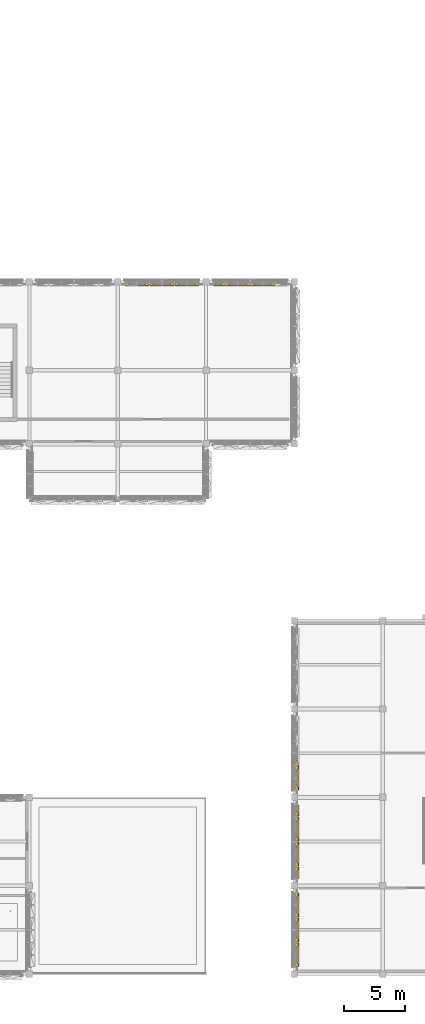
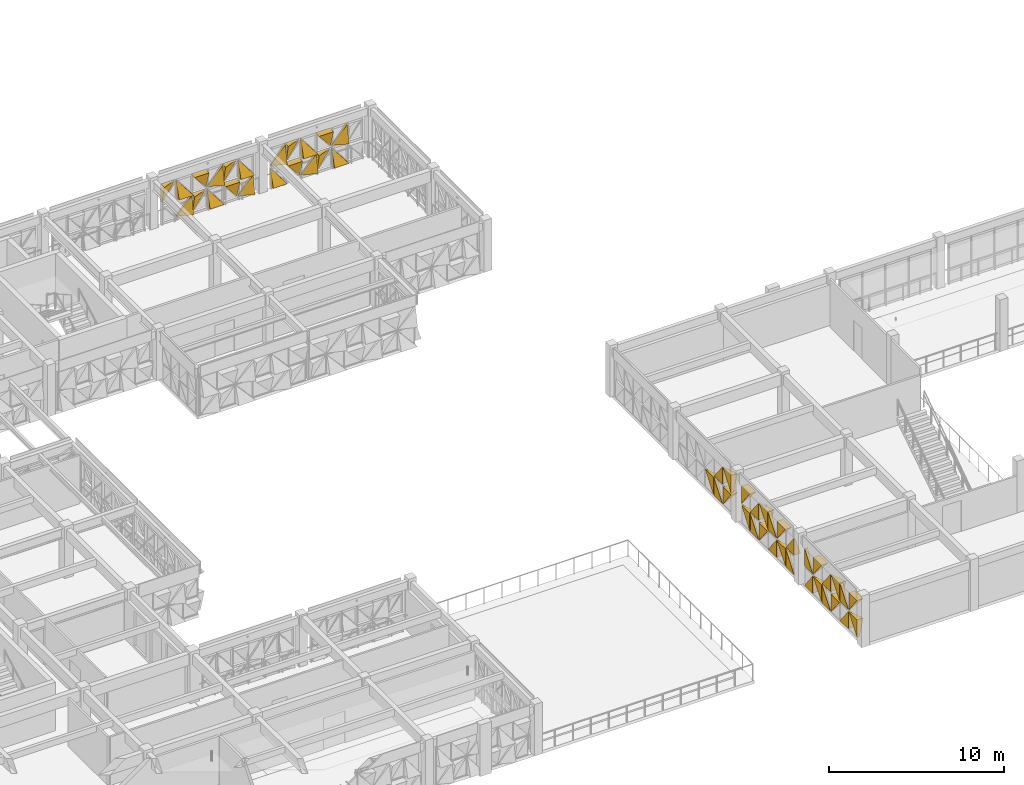
# One storey, part 94 of 99: 50 coverings.
"""IFC4 building model written with IfcOpenShell, lengths in metres."""

from ifc_helpers import new_model, si_unit, direction, frame, origin, place, context, subcontext, project, spatial, polygons, material, layer, layer_set, type_object, element, save


model = new_model("IFC4")

# Units and contexts
model_context = context("Model", 3, precision=1e-05, world=origin(), true_north=direction((0.0, 1.0)))
body_context = subcontext(model_context, "Body", "Model", "MODEL_VIEW")
ifc_project = project(units=[si_unit("LENGTHUNIT", "METRE"), si_unit("AREAUNIT", "SQUARE_METRE"), si_unit("VOLUMEUNIT", "CUBIC_METRE"), si_unit("PLANEANGLEUNIT", "RADIAN"), si_unit("MASSUNIT", "GRAM", prefix="KILO")], contexts=[model_context])

# Site, building, storey
site_placement = place(None, origin())
site = spatial("IfcSite", under=ifc_project, at=site_placement, CompositionType="ELEMENT")
building_placement = place(site_placement, origin())
building = spatial("IfcBuilding", under=site, at=building_placement, Name="Alvorim Cloister Faculty of Sciences", CompositionType="ELEMENT")
storey_placement = place(building_placement, frame((0.0, 0.0, 12.14990234375)))
storey = spatial("IfcBuildingStorey", under=building, at=storey_placement, Name="L03", CompositionType="ELEMENT", Elevation=12.14990234375)

# Coverings
ifc_material = material(Name="Perforated Bronze Alloy Sheet", Category="metal")
ifc_layer = layer(ifc_material, 0.0380859375)
ifc_layer_set = layer_set([ifc_layer], Name="Perforated Bronze Alloy Sheet")
covering_type = type_object("IfcCoveringType", Name="COV-TRI-BRZ", PredefinedType="CLADDING", material=ifc_layer_set)
covering_1_placement = place(storey_placement, frame((51.0048828125, 56.445068359375, 1.4951171875), z_axis=(0.0, 0.0, 1.0), x_axis=(1.0, 0.0, 0.0)))
element("IfcCovering", 1, at=covering_1_placement, inside=storey, type_object=covering_type, Name="Diagonal Solid Metal Triangle TRI-TL", PredefinedType="CLADDING", context=body_context, shape_type="Tessellation", body=[
    polygons([(0.920607421875, 0.0260009765625, 1.215087890625), (0.0, 0.0260009765625, 1.215087890625), (0.0, 0.0260009765625, 0.002), (0.920607421875, -0.03, 1.215087890625), (0.0, -0.4, 1.215087890625), (0.0, -0.13999999999999999, 0.002)], [[[1, 3, 2]], [[4, 5, 6]], [[1, 2, 5, 4]], [[2, 3, 6, 5]], [[3, 1, 4, 6]]], closed=True),
])
covering_2_placement = place(storey_placement, frame((51.992431640625, 56.445068359375, 0.14013671875), z_axis=(0.0, 0.0, 1.0), x_axis=(1.0, 0.0, 0.0)))
element("IfcCovering", 2, at=covering_2_placement, inside=storey, type_object=covering_type, Name="Diagonal Solid Metal Triangle TRI-BR", PredefinedType="CLADDING", context=body_context, shape_type="Tessellation", body=[
    polygons([(0.002, 0.0260009765625, 0.0), (0.955078125, 0.0260009765625, 0.0), (0.955078125, 0.0260009765625, 1.21284375), (0.002, -0.03, 0.0), (0.955078125, -0.4, 0.0), (0.955078125, -0.18000000000000002, 1.21284375)], [[[1, 3, 2]], [[4, 5, 6]], [[1, 2, 5, 4]], [[2, 3, 6, 5]], [[3, 1, 4, 6]]], closed=True),
])
covering_3_placement = place(storey_placement, frame((51.992431640625, 56.445068359375, 1.4951171875), z_axis=(0.0, 0.0, 1.0), x_axis=(1.0, 0.0, 0.0)))
element("IfcCovering", 3, at=covering_3_placement, inside=storey, type_object=covering_type, Name="Diagonal Solid Metal Triangle TRI-BL", PredefinedType="CLADDING", context=body_context, shape_type="Tessellation", body=[
    polygons([(0.0, 0.0260009765625, 0.0), (0.953078125, 0.0260009765625, 0.0), (0.0, 0.0260009765625, 1.213087890625), (0.0, -0.4, 0.0), (0.953078125, -0.4, 0.0), (0.0, -0.03, 1.213087890625)], [[[1, 3, 2]], [[4, 5, 6]], [[1, 2, 5, 4]], [[2, 3, 6, 5]], [[3, 1, 4, 6]]], closed=True),
])
covering_4_placement = place(storey_placement, frame((53.012451171875, 56.445068359375, 0.14013671875), z_axis=(0.0, 0.0, 1.0), x_axis=(1.0, 0.0, 0.0)))
element("IfcCovering", 4, at=covering_4_placement, inside=storey, type_object=covering_type, Name="Diagonal Solid Metal Triangle TRI-TL", PredefinedType="CLADDING", context=body_context, shape_type="Tessellation", body=[
    polygons([(0.953078125, 0.0260009765625, 1.21484375), (0.0, 0.0260009765625, 1.21484375), (0.0, 0.0260009765625, 0.002), (0.953078125, -0.03, 1.21484375), (0.0, -0.4, 1.21484375), (0.0, -0.13999999999999999, 0.002)], [[[1, 3, 2]], [[4, 5, 6]], [[1, 2, 5, 4]], [[2, 3, 6, 5]], [[3, 1, 4, 6]]], closed=True),
])
covering_5_placement = place(storey_placement, frame((53.012451171875, 56.445068359375, 1.4951171875), z_axis=(0.0, 0.0, 1.0), x_axis=(1.0, 0.0, 0.0)))
element("IfcCovering", 5, at=covering_5_placement, inside=storey, type_object=covering_type, Name="Diagonal Solid Metal Triangle TRI-TR", PredefinedType="CLADDING", context=body_context, shape_type="Tessellation", body=[
    polygons([(0.955078125, 0.0260009765625, 0.002), (0.955078125, 0.0260009765625, 1.215087890625), (0.002, 0.0260009765625, 1.215087890625), (0.955078125, -0.03, 0.002), (0.955078125, -0.4, 1.215087890625), (0.002, -0.4, 1.215087890625)], [[[1, 3, 2]], [[4, 5, 6]], [[1, 2, 5, 4]], [[2, 3, 6, 5]], [[3, 1, 4, 6]]], closed=True),
])
covering_6_placement = place(storey_placement, frame((54.032470703125, 56.445068359375, 0.14013671875), z_axis=(0.0, 0.0, 1.0), x_axis=(1.0, 0.0, 0.0)))
element("IfcCovering", 6, at=covering_6_placement, inside=storey, type_object=covering_type, Name="Diagonal Solid Metal Triangle TRI-BL", PredefinedType="CLADDING", context=body_context, shape_type="Tessellation", body=[
    polygons([(0.0, 0.0260009765625, 0.0), (0.953078125, 0.0260009765625, 0.0), (0.0, 0.0260009765625, 1.21284375), (0.0, -0.4, 0.0), (0.953078125, -0.4, 0.0), (0.0, -0.03, 1.21284375)], [[[1, 3, 2]], [[4, 5, 6]], [[1, 2, 5, 4]], [[2, 3, 6, 5]], [[3, 1, 4, 6]]], closed=True),
])
covering_7_placement = place(storey_placement, frame((54.032470703125, 56.445068359375, 1.4951171875), z_axis=(0.0, 0.0, 1.0), x_axis=(1.0, 0.0, 0.0)))
element("IfcCovering", 7, at=covering_7_placement, inside=storey, type_object=covering_type, Name="Diagonal Solid Metal Triangle TRI-BR", PredefinedType="CLADDING", context=body_context, shape_type="Tessellation", body=[
    polygons([(0.002, 0.0260009765625, 0.0), (0.955078125, 0.0260009765625, 0.0), (0.955078125, 0.0260009765625, 1.213087890625), (0.002, -0.03, 0.0), (0.955078125, -0.4, 0.0), (0.955078125, -0.18000000000000002, 1.213087890625)], [[[1, 3, 2]], [[4, 5, 6]], [[1, 2, 5, 4]], [[2, 3, 6, 5]], [[3, 1, 4, 6]]], closed=True),
])
covering_8_placement = place(storey_placement, frame((55.052490234375, 56.445068359375, 0.14013671875), z_axis=(0.0, 0.0, 1.0), x_axis=(1.0, 0.0, 0.0)))
element("IfcCovering", 8, at=covering_8_placement, inside=storey, type_object=covering_type, Name="Diagonal Solid Metal Triangle TRI-TR", PredefinedType="CLADDING", context=body_context, shape_type="Tessellation", body=[
    polygons([(0.955078125, 0.0260009765625, 0.002), (0.955078125, 0.0260009765625, 1.21484375), (0.002, 0.0260009765625, 1.21484375), (0.955078125, -0.03, 0.002), (0.955078125, -0.4, 1.21484375), (0.002, -0.4, 1.21484375)], [[[1, 3, 2]], [[4, 5, 6]], [[1, 2, 5, 4]], [[2, 3, 6, 5]], [[3, 1, 4, 6]]], closed=True),
])
covering_9_placement = place(storey_placement, frame((55.052490234375, 56.445068359375, 1.4951171875), z_axis=(0.0, 0.0, 1.0), x_axis=(1.0, 0.0, 0.0)))
element("IfcCovering", 9, at=covering_9_placement, inside=storey, type_object=covering_type, Name="Diagonal Solid Metal Triangle TRI-TL", PredefinedType="CLADDING", context=body_context, shape_type="Tessellation", body=[
    polygons([(0.953078125, 0.0260009765625, 1.215087890625), (0.0, 0.0260009765625, 1.215087890625), (0.0, 0.0260009765625, 0.002), (0.953078125, -0.03, 1.215087890625), (0.0, -0.4, 1.215087890625), (0.0, -0.13999999999999999, 0.002)], [[[1, 3, 2]], [[4, 5, 6]], [[1, 2, 5, 4]], [[2, 3, 6, 5]], [[3, 1, 4, 6]]], closed=True),
])
covering_10_placement = place(storey_placement, frame((56.072509765625, 56.445068359375, 0.14013671875), z_axis=(0.0, 0.0, 1.0), x_axis=(1.0, 0.0, 0.0)))
element("IfcCovering", 10, at=covering_10_placement, inside=storey, type_object=covering_type, Name="Diagonal Solid Metal Triangle TRI-BR", PredefinedType="CLADDING", context=body_context, shape_type="Tessellation", body=[
    polygons([(0.002, 0.0260009765625, 0.0), (0.922607421875, 0.0260009765625, 0.0), (0.922607421875, 0.0260009765625, 1.21284375), (0.002, -0.03, 0.0), (0.922607421875, -0.4, 0.0), (0.922607421875, -0.18000000000000002, 1.21284375)], [[[1, 3, 2]], [[4, 5, 6]], [[1, 2, 5, 4]], [[2, 3, 6, 5]], [[3, 1, 4, 6]]], closed=True),
])
covering_11_placement = place(storey_placement, frame((56.072509765625, 56.445068359375, 1.4951171875), z_axis=(0.0, 0.0, 1.0), x_axis=(1.0, 0.0, 0.0)))
element("IfcCovering", 11, at=covering_11_placement, inside=storey, type_object=covering_type, Name="Diagonal Solid Metal Triangle TRI-BL", PredefinedType="CLADDING", context=body_context, shape_type="Tessellation", body=[
    polygons([(0.0, 0.0260009765625, 0.0), (0.920607421875, 0.0260009765625, 0.0), (0.0, 0.0260009765625, 1.213087890625), (0.0, -0.4, 0.0), (0.920607421875, -0.4, 0.0), (0.0, -0.03, 1.213087890625)], [[[1, 3, 2]], [[4, 5, 6]], [[1, 2, 5, 4]], [[2, 3, 6, 5]], [[3, 1, 4, 6]]], closed=True),
])
covering_12_placement = place(storey_placement, frame((58.205078125, 56.445068359375, 0.14013671875), z_axis=(0.0, 0.0, 1.0), x_axis=(1.0, 0.0, 0.0)))
element("IfcCovering", 12, at=covering_12_placement, inside=storey, type_object=covering_type, Name="Diagonal Solid Metal Triangle TRI-BL", PredefinedType="CLADDING", context=body_context, shape_type="Tessellation", body=[
    polygons([(0.0, 0.0260009765625, 0.0), (0.920607421875, 0.0260009765625, 0.0), (0.0, 0.0260009765625, 1.21284375), (0.0, -0.4, 0.0), (0.920607421875, -0.4, 0.0), (0.0, -0.03, 1.21284375)], [[[1, 3, 2]], [[4, 5, 6]], [[1, 2, 5, 4]], [[2, 3, 6, 5]], [[3, 1, 4, 6]]], closed=True),
])
covering_13_placement = place(storey_placement, frame((58.205078125, 56.445068359375, 1.4951171875), z_axis=(0.0, 0.0, 1.0), x_axis=(1.0, 0.0, 0.0)))
element("IfcCovering", 13, at=covering_13_placement, inside=storey, type_object=covering_type, Name="Diagonal Solid Metal Triangle TRI-BR", PredefinedType="CLADDING", context=body_context, shape_type="Tessellation", body=[
    polygons([(0.002, 0.0260009765625, 0.0), (0.922607421875, 0.0260009765625, 0.0), (0.922607421875, 0.0260009765625, 1.213087890625), (0.002, -0.03, 0.0), (0.922607421875, -0.4, 0.0), (0.922607421875, -0.18000000000000002, 1.213087890625)], [[[1, 3, 2]], [[4, 5, 6]], [[1, 2, 5, 4]], [[2, 3, 6, 5]], [[3, 1, 4, 6]]], closed=True),
])
covering_14_placement = place(storey_placement, frame((59.1923828125, 56.445068359375, 0.14013671875), z_axis=(0.0, 0.0, 1.0), x_axis=(1.0, 0.0, 0.0)))
element("IfcCovering", 14, at=covering_14_placement, inside=storey, type_object=covering_type, Name="Diagonal Solid Metal Triangle TRI-TR", PredefinedType="CLADDING", context=body_context, shape_type="Tessellation", body=[
    polygons([(0.955078125, 0.0260009765625, 0.002), (0.955078125, 0.0260009765625, 1.21484375), (0.002, 0.0260009765625, 1.21484375), (0.955078125, -0.03, 0.002), (0.955078125, -0.4, 1.21484375), (0.002, -0.4, 1.21484375)], [[[1, 3, 2]], [[4, 5, 6]], [[1, 2, 5, 4]], [[2, 3, 6, 5]], [[3, 1, 4, 6]]], closed=True),
])
covering_15_placement = place(storey_placement, frame((59.1923828125, 56.445068359375, 1.4951171875), z_axis=(0.0, 0.0, 1.0), x_axis=(1.0, 0.0, 0.0)))
element("IfcCovering", 15, at=covering_15_placement, inside=storey, type_object=covering_type, Name="Diagonal Solid Metal Triangle TRI-TL", PredefinedType="CLADDING", context=body_context, shape_type="Tessellation", body=[
    polygons([(0.953078125, 0.0260009765625, 1.215087890625), (0.0, 0.0260009765625, 1.215087890625), (0.0, 0.0260009765625, 0.002), (0.953078125, -0.03, 1.215087890625), (0.0, -0.4, 1.215087890625), (0.0, -0.13999999999999999, 0.002)], [[[1, 3, 2]], [[4, 5, 6]], [[1, 2, 5, 4]], [[2, 3, 6, 5]], [[3, 1, 4, 6]]], closed=True),
])
covering_16_placement = place(storey_placement, frame((60.21240234375, 56.445068359375, 0.14013671875), z_axis=(0.0, 0.0, 1.0), x_axis=(1.0, 0.0, 0.0)))
element("IfcCovering", 16, at=covering_16_placement, inside=storey, type_object=covering_type, Name="Diagonal Solid Metal Triangle TRI-BR", PredefinedType="CLADDING", context=body_context, shape_type="Tessellation", body=[
    polygons([(0.002, 0.0260009765625, 0.0), (0.955078125, 0.0260009765625, 0.0), (0.955078125, 0.0260009765625, 1.21284375), (0.002, -0.03, 0.0), (0.955078125, -0.4, 0.0), (0.955078125, -0.18000000000000002, 1.21284375)], [[[1, 3, 2]], [[4, 5, 6]], [[1, 2, 5, 4]], [[2, 3, 6, 5]], [[3, 1, 4, 6]]], closed=True),
])
covering_17_placement = place(storey_placement, frame((60.21240234375, 56.445068359375, 1.4951171875), z_axis=(0.0, 0.0, 1.0), x_axis=(1.0, 0.0, 0.0)))
element("IfcCovering", 17, at=covering_17_placement, inside=storey, type_object=covering_type, Name="Diagonal Solid Metal Triangle TRI-BL", PredefinedType="CLADDING", context=body_context, shape_type="Tessellation", body=[
    polygons([(0.0, 0.0260009765625, 0.0), (0.953078125, 0.0260009765625, 0.0), (0.0, 0.0260009765625, 1.213087890625), (0.0, -0.4, 0.0), (0.953078125, -0.4, 0.0), (0.0, -0.03, 1.213087890625)], [[[1, 3, 2]], [[4, 5, 6]], [[1, 2, 5, 4]], [[2, 3, 6, 5]], [[3, 1, 4, 6]]], closed=True),
])
covering_18_placement = place(storey_placement, frame((61.232421875, 56.445068359375, 0.14013671875), z_axis=(0.0, 0.0, 1.0), x_axis=(1.0, 0.0, 0.0)))
element("IfcCovering", 18, at=covering_18_placement, inside=storey, type_object=covering_type, Name="Diagonal Solid Metal Triangle TRI-TL", PredefinedType="CLADDING", context=body_context, shape_type="Tessellation", body=[
    polygons([(0.953078125, 0.0260009765625, 1.21484375), (0.0, 0.0260009765625, 1.21484375), (0.0, 0.0260009765625, 0.002), (0.953078125, -0.03, 1.21484375), (0.0, -0.4, 1.21484375), (0.0, -0.13999999999999999, 0.002)], [[[1, 3, 2]], [[4, 5, 6]], [[1, 2, 5, 4]], [[2, 3, 6, 5]], [[3, 1, 4, 6]]], closed=True),
])
covering_19_placement = place(storey_placement, frame((61.232421875, 56.445068359375, 1.4951171875), z_axis=(0.0, 0.0, 1.0), x_axis=(1.0, 0.0, 0.0)))
element("IfcCovering", 19, at=covering_19_placement, inside=storey, type_object=covering_type, Name="Diagonal Solid Metal Triangle TRI-TR", PredefinedType="CLADDING", context=body_context, shape_type="Tessellation", body=[
    polygons([(0.955078125, 0.0260009765625, 0.002), (0.955078125, 0.0260009765625, 1.215087890625), (0.002, 0.0260009765625, 1.215087890625), (0.955078125, -0.03, 0.002), (0.955078125, -0.4, 1.215087890625), (0.002, -0.4, 1.215087890625)], [[[1, 3, 2]], [[4, 5, 6]], [[1, 2, 5, 4]], [[2, 3, 6, 5]], [[3, 1, 4, 6]]], closed=True),
])
covering_20_placement = place(storey_placement, frame((62.25244140625, 56.445068359375, 0.14013671875), z_axis=(0.0, 0.0, 1.0), x_axis=(1.0, 0.0, 0.0)))
element("IfcCovering", 20, at=covering_20_placement, inside=storey, type_object=covering_type, Name="Diagonal Solid Metal Triangle TRI-BL", PredefinedType="CLADDING", context=body_context, shape_type="Tessellation", body=[
    polygons([(0.0, 0.0260009765625, 0.0), (0.953078125, 0.0260009765625, 0.0), (0.0, 0.0260009765625, 1.21284375), (0.0, -0.4, 0.0), (0.953078125, -0.4, 0.0), (0.0, -0.03, 1.21284375)], [[[1, 3, 2]], [[4, 5, 6]], [[1, 2, 5, 4]], [[2, 3, 6, 5]], [[3, 1, 4, 6]]], closed=True),
])
covering_21_placement = place(storey_placement, frame((62.25244140625, 56.445068359375, 1.4951171875), z_axis=(0.0, 0.0, 1.0), x_axis=(1.0, 0.0, 0.0)))
element("IfcCovering", 21, at=covering_21_placement, inside=storey, type_object=covering_type, Name="Diagonal Solid Metal Triangle TRI-BR", PredefinedType="CLADDING", context=body_context, shape_type="Tessellation", body=[
    polygons([(0.002, 0.0260009765625, 0.0), (0.955078125, 0.0260009765625, 0.0), (0.955078125, 0.0260009765625, 1.213087890625), (0.002, -0.03, 0.0), (0.955078125, -0.4, 0.0), (0.955078125, -0.18000000000000002, 1.213087890625)], [[[1, 3, 2]], [[4, 5, 6]], [[1, 2, 5, 4]], [[2, 3, 6, 5]], [[3, 1, 4, 6]]], closed=True),
])
covering_22_placement = place(storey_placement, frame((64.7548828125, 0.60498046875, 0.14013671875), z_axis=(0.0, 0.0, 1.0), x_axis=(0.0, 1.0, 0.0)))
element("IfcCovering", 22, at=covering_22_placement, inside=storey, type_object=covering_type, Name="Diagonal Solid Metal Triangle TRI-TL", PredefinedType="CLADDING", context=body_context, shape_type="Tessellation", body=[
    polygons([(0.920607421875, 0.0260009765625, 1.21484375), (0.0, 0.0260009765625, 1.21484375), (0.0, 0.0260009765625, 0.002), (0.920607421875, -0.03, 1.21484375), (0.0, -0.4, 1.21484375), (0.0, -0.13999999999999999, 0.002)], [[[1, 3, 2]], [[4, 5, 6]], [[1, 2, 5, 4]], [[2, 3, 6, 5]], [[3, 1, 4, 6]]], closed=True),
])
covering_23_placement = place(storey_placement, frame((64.7548828125, 0.60498046875, 1.4951171875), z_axis=(0.0, 0.0, 1.0), x_axis=(0.0, 1.0, 0.0)))
element("IfcCovering", 23, at=covering_23_placement, inside=storey, type_object=covering_type, Name="Diagonal Solid Metal Triangle TRI-TR", PredefinedType="CLADDING", context=body_context, shape_type="Tessellation", body=[
    polygons([(0.922607421875, 0.0260009765625, 0.002), (0.922607421875, 0.0260009765625, 1.215087890625), (0.002, 0.0260009765625, 1.215087890625), (0.922607421875, -0.03, 0.002), (0.922607421875, -0.4, 1.215087890625), (0.002, -0.4, 1.215087890625)], [[[1, 3, 2]], [[4, 5, 6]], [[1, 2, 5, 4]], [[2, 3, 6, 5]], [[3, 1, 4, 6]]], closed=True),
])
covering_24_placement = place(storey_placement, frame((64.7548828125, 1.592529296875, 0.14013671875), z_axis=(0.0, 0.0, 1.0), x_axis=(0.0, 1.0, 0.0)))
element("IfcCovering", 24, at=covering_24_placement, inside=storey, type_object=covering_type, Name="Diagonal Solid Metal Triangle TRI-BL", PredefinedType="CLADDING", context=body_context, shape_type="Tessellation", body=[
    polygons([(0.0, 0.0260009765625, 0.0), (0.953078125, 0.0260009765625, 0.0), (0.0, 0.0260009765625, 1.21284375), (0.0, -0.4, 0.0), (0.953078125, -0.4, 0.0), (0.0, -0.03, 1.21284375)], [[[1, 3, 2]], [[4, 5, 6]], [[1, 2, 5, 4]], [[2, 3, 6, 5]], [[3, 1, 4, 6]]], closed=True),
])
covering_25_placement = place(storey_placement, frame((64.7548828125, 1.592529296875, 1.4951171875), z_axis=(0.0, 0.0, 1.0), x_axis=(0.0, 1.0, 0.0)))
element("IfcCovering", 25, at=covering_25_placement, inside=storey, type_object=covering_type, Name="Diagonal Solid Metal Triangle TRI-BR", PredefinedType="CLADDING", context=body_context, shape_type="Tessellation", body=[
    polygons([(0.002, 0.0260009765625, 0.0), (0.955078125, 0.0260009765625, 0.0), (0.955078125, 0.0260009765625, 1.213087890625), (0.002, -0.03, 0.0), (0.955078125, -0.4, 0.0), (0.955078125, -0.18000000000000002, 1.213087890625)], [[[1, 3, 2]], [[4, 5, 6]], [[1, 2, 5, 4]], [[2, 3, 6, 5]], [[3, 1, 4, 6]]], closed=True),
])
covering_26_placement = place(storey_placement, frame((64.7548828125, 2.612548828125, 0.14013671875), z_axis=(0.0, 0.0, 1.0), x_axis=(0.0, 1.0, 0.0)))
element("IfcCovering", 26, at=covering_26_placement, inside=storey, type_object=covering_type, Name="Diagonal Solid Metal Triangle TRI-TR", PredefinedType="CLADDING", context=body_context, shape_type="Tessellation", body=[
    polygons([(0.955078125, 0.0260009765625, 0.002), (0.955078125, 0.0260009765625, 1.21484375), (0.002, 0.0260009765625, 1.21484375), (0.955078125, -0.03, 0.002), (0.955078125, -0.4, 1.21484375), (0.002, -0.4, 1.21484375)], [[[1, 3, 2]], [[4, 5, 6]], [[1, 2, 5, 4]], [[2, 3, 6, 5]], [[3, 1, 4, 6]]], closed=True),
])
covering_27_placement = place(storey_placement, frame((64.7548828125, 2.612548828125, 1.4951171875), z_axis=(0.0, 0.0, 1.0), x_axis=(0.0, 1.0, 0.0)))
element("IfcCovering", 27, at=covering_27_placement, inside=storey, type_object=covering_type, Name="Diagonal Solid Metal Triangle TRI-TL", PredefinedType="CLADDING", context=body_context, shape_type="Tessellation", body=[
    polygons([(0.953078125, 0.0260009765625, 1.215087890625), (0.0, 0.0260009765625, 1.215087890625), (0.0, 0.0260009765625, 0.002), (0.953078125, -0.03, 1.215087890625), (0.0, -0.4, 1.215087890625), (0.0, -0.13999999999999999, 0.002)], [[[1, 3, 2]], [[4, 5, 6]], [[1, 2, 5, 4]], [[2, 3, 6, 5]], [[3, 1, 4, 6]]], closed=True),
])
covering_28_placement = place(storey_placement, frame((64.7548828125, 3.632568359375, 0.14013671875), z_axis=(0.0, 0.0, 1.0), x_axis=(0.0, 1.0, 0.0)))
element("IfcCovering", 28, at=covering_28_placement, inside=storey, type_object=covering_type, Name="Diagonal Solid Metal Triangle TRI-BR", PredefinedType="CLADDING", context=body_context, shape_type="Tessellation", body=[
    polygons([(0.002, 0.0260009765625, 0.0), (0.955078125, 0.0260009765625, 0.0), (0.955078125, 0.0260009765625, 1.21284375), (0.002, -0.03, 0.0), (0.955078125, -0.4, 0.0), (0.955078125, -0.18000000000000002, 1.21284375)], [[[1, 3, 2]], [[4, 5, 6]], [[1, 2, 5, 4]], [[2, 3, 6, 5]], [[3, 1, 4, 6]]], closed=True),
])
covering_29_placement = place(storey_placement, frame((64.7548828125, 3.632568359375, 1.4951171875), z_axis=(0.0, 0.0, 1.0), x_axis=(0.0, 1.0, 0.0)))
element("IfcCovering", 29, at=covering_29_placement, inside=storey, type_object=covering_type, Name="Diagonal Solid Metal Triangle TRI-BL", PredefinedType="CLADDING", context=body_context, shape_type="Tessellation", body=[
    polygons([(0.0, 0.0260009765625, 0.0), (0.953078125, 0.0260009765625, 0.0), (0.0, 0.0260009765625, 1.213087890625), (0.0, -0.4, 0.0), (0.953078125, -0.4, 0.0), (0.0, -0.03, 1.213087890625)], [[[1, 3, 2]], [[4, 5, 6]], [[1, 2, 5, 4]], [[2, 3, 6, 5]], [[3, 1, 4, 6]]], closed=True),
])
covering_30_placement = place(storey_placement, frame((64.7548828125, 4.652587890625, 0.14013671875), z_axis=(0.0, 0.0, 1.0), x_axis=(0.0, 1.0, 0.0)))
element("IfcCovering", 30, at=covering_30_placement, inside=storey, type_object=covering_type, Name="Diagonal Solid Metal Triangle TRI-TL", PredefinedType="CLADDING", context=body_context, shape_type="Tessellation", body=[
    polygons([(0.953078125, 0.0260009765625, 1.21484375), (0.0, 0.0260009765625, 1.21484375), (0.0, 0.0260009765625, 0.002), (0.953078125, -0.03, 1.21484375), (0.0, -0.4, 1.21484375), (0.0, -0.13999999999999999, 0.002)], [[[1, 3, 2]], [[4, 5, 6]], [[1, 2, 5, 4]], [[2, 3, 6, 5]], [[3, 1, 4, 6]]], closed=True),
])
covering_31_placement = place(storey_placement, frame((64.7548828125, 4.652587890625, 1.4951171875), z_axis=(0.0, 0.0, 1.0), x_axis=(0.0, 1.0, 0.0)))
element("IfcCovering", 31, at=covering_31_placement, inside=storey, type_object=covering_type, Name="Diagonal Solid Metal Triangle TRI-TR", PredefinedType="CLADDING", context=body_context, shape_type="Tessellation", body=[
    polygons([(0.955078125, 0.0260009765625, 0.002), (0.955078125, 0.0260009765625, 1.215087890625), (0.002, 0.0260009765625, 1.215087890625), (0.955078125, -0.03, 0.002), (0.955078125, -0.4, 1.215087890625), (0.002, -0.4, 1.215087890625)], [[[1, 3, 2]], [[4, 5, 6]], [[1, 2, 5, 4]], [[2, 3, 6, 5]], [[3, 1, 4, 6]]], closed=True),
])
covering_32_placement = place(storey_placement, frame((64.7548828125, 5.672607421875, 0.14013671875), z_axis=(0.0, 0.0, 1.0), x_axis=(0.0, 1.0, 0.0)))
element("IfcCovering", 32, at=covering_32_placement, inside=storey, type_object=covering_type, Name="Diagonal Solid Metal Triangle TRI-BL", PredefinedType="CLADDING", context=body_context, shape_type="Tessellation", body=[
    polygons([(0.0, 0.0260009765625, 0.0), (0.920607421875, 0.0260009765625, 0.0), (0.0, 0.0260009765625, 1.21284375), (0.0, -0.4, 0.0), (0.920607421875, -0.4, 0.0), (0.0, -0.03, 1.21284375)], [[[1, 3, 2]], [[4, 5, 6]], [[1, 2, 5, 4]], [[2, 3, 6, 5]], [[3, 1, 4, 6]]], closed=True),
])
covering_33_placement = place(storey_placement, frame((64.7548828125, 5.672607421875, 1.4951171875), z_axis=(0.0, 0.0, 1.0), x_axis=(0.0, 1.0, 0.0)))
element("IfcCovering", 33, at=covering_33_placement, inside=storey, type_object=covering_type, Name="Diagonal Solid Metal Triangle TRI-BR", PredefinedType="CLADDING", context=body_context, shape_type="Tessellation", body=[
    polygons([(0.002, 0.0260009765625, 0.0), (0.922607421875, 0.0260009765625, 0.0), (0.922607421875, 0.0260009765625, 1.213087890625), (0.002, -0.03, 0.0), (0.922607421875, -0.4, 0.0), (0.922607421875, -0.18000000000000002, 1.213087890625)], [[[1, 3, 2]], [[4, 5, 6]], [[1, 2, 5, 4]], [[2, 3, 6, 5]], [[3, 1, 4, 6]]], closed=True),
])
covering_34_placement = place(storey_placement, frame((64.7548828125, 7.804931640625, 0.14013671875), z_axis=(0.0, 0.0, 1.0), x_axis=(0.0, 1.0, 0.0)))
element("IfcCovering", 34, at=covering_34_placement, inside=storey, type_object=covering_type, Name="Diagonal Solid Metal Triangle TRI-BR", PredefinedType="CLADDING", context=body_context, shape_type="Tessellation", body=[
    polygons([(0.002, 0.0260009765625, 0.0), (0.922607421875, 0.0260009765625, 0.0), (0.922607421875, 0.0260009765625, 1.21284375), (0.002, -0.03, 0.0), (0.922607421875, -0.4, 0.0), (0.922607421875, -0.18000000000000002, 1.21284375)], [[[1, 3, 2]], [[4, 5, 6]], [[1, 2, 5, 4]], [[2, 3, 6, 5]], [[3, 1, 4, 6]]], closed=True),
])
covering_35_placement = place(storey_placement, frame((64.7548828125, 7.804931640625, 1.4951171875), z_axis=(0.0, 0.0, 1.0), x_axis=(0.0, 1.0, 0.0)))
element("IfcCovering", 35, at=covering_35_placement, inside=storey, type_object=covering_type, Name="Diagonal Solid Metal Triangle TRI-BL", PredefinedType="CLADDING", context=body_context, shape_type="Tessellation", body=[
    polygons([(0.0, 0.0260009765625, 0.0), (0.920607421875, 0.0260009765625, 0.0), (0.0, 0.0260009765625, 1.213087890625), (0.0, -0.4, 0.0), (0.920607421875, -0.4, 0.0), (0.0, -0.03, 1.213087890625)], [[[1, 3, 2]], [[4, 5, 6]], [[1, 2, 5, 4]], [[2, 3, 6, 5]], [[3, 1, 4, 6]]], closed=True),
])
covering_36_placement = place(storey_placement, frame((64.7548828125, 8.79248046875, 0.14013671875), z_axis=(0.0, 0.0, 1.0), x_axis=(0.0, 1.0, 0.0)))
element("IfcCovering", 36, at=covering_36_placement, inside=storey, type_object=covering_type, Name="Diagonal Solid Metal Triangle TRI-TL", PredefinedType="CLADDING", context=body_context, shape_type="Tessellation", body=[
    polygons([(0.953078125, 0.0260009765625, 1.21484375), (0.0, 0.0260009765625, 1.21484375), (0.0, 0.0260009765625, 0.002), (0.953078125, -0.03, 1.21484375), (0.0, -0.4, 1.21484375), (0.0, -0.13999999999999999, 0.002)], [[[1, 3, 2]], [[4, 5, 6]], [[1, 2, 5, 4]], [[2, 3, 6, 5]], [[3, 1, 4, 6]]], closed=True),
])
covering_37_placement = place(storey_placement, frame((64.7548828125, 8.79248046875, 1.4951171875), z_axis=(0.0, 0.0, 1.0), x_axis=(0.0, 1.0, 0.0)))
element("IfcCovering", 37, at=covering_37_placement, inside=storey, type_object=covering_type, Name="Diagonal Solid Metal Triangle TRI-TR", PredefinedType="CLADDING", context=body_context, shape_type="Tessellation", body=[
    polygons([(0.955078125, 0.0260009765625, 0.002), (0.955078125, 0.0260009765625, 1.215087890625), (0.002, 0.0260009765625, 1.215087890625), (0.955078125, -0.03, 0.002), (0.955078125, -0.4, 1.215087890625), (0.002, -0.4, 1.215087890625)], [[[1, 3, 2]], [[4, 5, 6]], [[1, 2, 5, 4]], [[2, 3, 6, 5]], [[3, 1, 4, 6]]], closed=True),
])
covering_38_placement = place(storey_placement, frame((64.7548828125, 9.8125, 0.14013671875), z_axis=(0.0, 0.0, 1.0), x_axis=(0.0, 1.0, 0.0)))
element("IfcCovering", 38, at=covering_38_placement, inside=storey, type_object=covering_type, Name="Diagonal Solid Metal Triangle TRI-BL", PredefinedType="CLADDING", context=body_context, shape_type="Tessellation", body=[
    polygons([(0.0, 0.0260009765625, 0.0), (0.953078125, 0.0260009765625, 0.0), (0.0, 0.0260009765625, 1.21284375), (0.0, -0.4, 0.0), (0.953078125, -0.4, 0.0), (0.0, -0.03, 1.21284375)], [[[1, 3, 2]], [[4, 5, 6]], [[1, 2, 5, 4]], [[2, 3, 6, 5]], [[3, 1, 4, 6]]], closed=True),
])
covering_39_placement = place(storey_placement, frame((64.7548828125, 9.8125, 1.4951171875), z_axis=(0.0, 0.0, 1.0), x_axis=(0.0, 1.0, 0.0)))
element("IfcCovering", 39, at=covering_39_placement, inside=storey, type_object=covering_type, Name="Diagonal Solid Metal Triangle TRI-BR", PredefinedType="CLADDING", context=body_context, shape_type="Tessellation", body=[
    polygons([(0.002, 0.0260009765625, 0.0), (0.955078125, 0.0260009765625, 0.0), (0.955078125, 0.0260009765625, 1.213087890625), (0.002, -0.03, 0.0), (0.955078125, -0.4, 0.0), (0.955078125, -0.18000000000000002, 1.213087890625)], [[[1, 3, 2]], [[4, 5, 6]], [[1, 2, 5, 4]], [[2, 3, 6, 5]], [[3, 1, 4, 6]]], closed=True),
])
covering_40_placement = place(storey_placement, frame((64.7548828125, 10.83251953125, 0.14013671875), z_axis=(0.0, 0.0, 1.0), x_axis=(0.0, 1.0, 0.0)))
element("IfcCovering", 40, at=covering_40_placement, inside=storey, type_object=covering_type, Name="Diagonal Solid Metal Triangle TRI-TR", PredefinedType="CLADDING", context=body_context, shape_type="Tessellation", body=[
    polygons([(0.955078125, 0.0260009765625, 0.002), (0.955078125, 0.0260009765625, 1.21484375), (0.002, 0.0260009765625, 1.21484375), (0.955078125, -0.03, 0.002), (0.955078125, -0.4, 1.21484375), (0.002, -0.4, 1.21484375)], [[[1, 3, 2]], [[4, 5, 6]], [[1, 2, 5, 4]], [[2, 3, 6, 5]], [[3, 1, 4, 6]]], closed=True),
])
covering_41_placement = place(storey_placement, frame((64.7548828125, 10.83251953125, 1.4951171875), z_axis=(0.0, 0.0, 1.0), x_axis=(0.0, 1.0, 0.0)))
element("IfcCovering", 41, at=covering_41_placement, inside=storey, type_object=covering_type, Name="Diagonal Solid Metal Triangle TRI-TL", PredefinedType="CLADDING", context=body_context, shape_type="Tessellation", body=[
    polygons([(0.953078125, 0.0260009765625, 1.215087890625), (0.0, 0.0260009765625, 1.215087890625), (0.0, 0.0260009765625, 0.002), (0.953078125, -0.03, 1.215087890625), (0.0, -0.4, 1.215087890625), (0.0, -0.13999999999999999, 0.002)], [[[1, 3, 2]], [[4, 5, 6]], [[1, 2, 5, 4]], [[2, 3, 6, 5]], [[3, 1, 4, 6]]], closed=True),
])
covering_42_placement = place(storey_placement, frame((64.7548828125, 11.8525390625, 0.14013671875), z_axis=(0.0, 0.0, 1.0), x_axis=(0.0, 1.0, 0.0)))
element("IfcCovering", 42, at=covering_42_placement, inside=storey, type_object=covering_type, Name="Diagonal Solid Metal Triangle TRI-BR", PredefinedType="CLADDING", context=body_context, shape_type="Tessellation", body=[
    polygons([(0.002, 0.0260009765625, 0.0), (0.955078125, 0.0260009765625, 0.0), (0.955078125, 0.0260009765625, 1.21284375), (0.002, -0.03, 0.0), (0.955078125, -0.4, 0.0), (0.955078125, -0.18000000000000002, 1.21284375)], [[[1, 3, 2]], [[4, 5, 6]], [[1, 2, 5, 4]], [[2, 3, 6, 5]], [[3, 1, 4, 6]]], closed=True),
])
covering_43_placement = place(storey_placement, frame((64.7548828125, 11.8525390625, 1.4951171875), z_axis=(0.0, 0.0, 1.0), x_axis=(0.0, 1.0, 0.0)))
element("IfcCovering", 43, at=covering_43_placement, inside=storey, type_object=covering_type, Name="Diagonal Solid Metal Triangle TRI-BL", PredefinedType="CLADDING", context=body_context, shape_type="Tessellation", body=[
    polygons([(0.0, 0.0260009765625, 0.0), (0.953078125, 0.0260009765625, 0.0), (0.0, 0.0260009765625, 1.213087890625), (0.0, -0.4, 0.0), (0.953078125, -0.4, 0.0), (0.0, -0.03, 1.213087890625)], [[[1, 3, 2]], [[4, 5, 6]], [[1, 2, 5, 4]], [[2, 3, 6, 5]], [[3, 1, 4, 6]]], closed=True),
])
covering_44_placement = place(storey_placement, frame((64.7548828125, 12.87255859375, 0.14013671875), z_axis=(0.0, 0.0, 1.0), x_axis=(0.0, 1.0, 0.0)))
element("IfcCovering", 44, at=covering_44_placement, inside=storey, type_object=covering_type, Name="Diagonal Solid Metal Triangle TRI-TL", PredefinedType="CLADDING", context=body_context, shape_type="Tessellation", body=[
    polygons([(0.920607421875, 0.0260009765625, 1.21484375), (0.0, 0.0260009765625, 1.21484375), (0.0, 0.0260009765625, 0.002), (0.920607421875, -0.03, 1.21484375), (0.0, -0.4, 1.21484375), (0.0, -0.13999999999999999, 0.002)], [[[1, 3, 2]], [[4, 5, 6]], [[1, 2, 5, 4]], [[2, 3, 6, 5]], [[3, 1, 4, 6]]], closed=True),
])
covering_45_placement = place(storey_placement, frame((64.7548828125, 12.87255859375, 1.4951171875), z_axis=(0.0, 0.0, 1.0), x_axis=(0.0, 1.0, 0.0)))
element("IfcCovering", 45, at=covering_45_placement, inside=storey, type_object=covering_type, Name="Diagonal Solid Metal Triangle TRI-TR", PredefinedType="CLADDING", context=body_context, shape_type="Tessellation", body=[
    polygons([(0.922607421875, 0.0260009765625, 0.002), (0.922607421875, 0.0260009765625, 1.215087890625), (0.002, 0.0260009765625, 1.215087890625), (0.922607421875, -0.03, 0.002), (0.922607421875, -0.4, 1.215087890625), (0.002, -0.4, 1.215087890625)], [[[1, 3, 2]], [[4, 5, 6]], [[1, 2, 5, 4]], [[2, 3, 6, 5]], [[3, 1, 4, 6]]], closed=True),
])
covering_46_placement = place(storey_placement, frame((64.7548828125, 15.0048828125, 0.14013671875), z_axis=(0.0, 0.0, 1.0), x_axis=(0.0, 1.0, 0.0)))
element("IfcCovering", 46, at=covering_46_placement, inside=storey, type_object=covering_type, Name="Diagonal Solid Metal Triangle TRI-TR", PredefinedType="CLADDING", context=body_context, shape_type="Tessellation", body=[
    polygons([(0.922607421875, 0.0260009765625, 0.002), (0.922607421875, 0.0260009765625, 1.21484375), (0.002, 0.0260009765625, 1.21484375), (0.922607421875, -0.03, 0.002), (0.922607421875, -0.4, 1.21484375), (0.002, -0.4, 1.21484375)], [[[1, 3, 2]], [[4, 5, 6]], [[1, 2, 5, 4]], [[2, 3, 6, 5]], [[3, 1, 4, 6]]], closed=True),
])
covering_47_placement = place(storey_placement, frame((64.7548828125, 15.0048828125, 1.4951171875), z_axis=(0.0, 0.0, 1.0), x_axis=(0.0, 1.0, 0.0)))
element("IfcCovering", 47, at=covering_47_placement, inside=storey, type_object=covering_type, Name="Diagonal Solid Metal Triangle TRI-TL", PredefinedType="CLADDING", context=body_context, shape_type="Tessellation", body=[
    polygons([(0.920607421875, 0.0260009765625, 1.215087890625), (0.0, 0.0260009765625, 1.215087890625), (0.0, 0.0260009765625, 0.002), (0.920607421875, -0.03, 1.215087890625), (0.0, -0.4, 1.215087890625), (0.0, -0.13999999999999999, 0.002)], [[[1, 3, 2]], [[4, 5, 6]], [[1, 2, 5, 4]], [[2, 3, 6, 5]], [[3, 1, 4, 6]]], closed=True),
])
covering_48_placement = place(storey_placement, frame((64.7548828125, 15.992431640625, 0.14013671875), z_axis=(0.0, 0.0, 1.0), x_axis=(0.0, 1.0, 0.0)))
element("IfcCovering", 48, at=covering_48_placement, inside=storey, type_object=covering_type, Name="Diagonal Solid Metal Triangle TRI-BR", PredefinedType="CLADDING", context=body_context, shape_type="Tessellation", body=[
    polygons([(0.002, 0.0260009765625, 0.0), (0.955078125, 0.0260009765625, 0.0), (0.955078125, 0.0260009765625, 1.21284375), (0.002, -0.03, 0.0), (0.955078125, -0.4, 0.0), (0.955078125, -0.18000000000000002, 1.21284375)], [[[1, 3, 2]], [[4, 5, 6]], [[1, 2, 5, 4]], [[2, 3, 6, 5]], [[3, 1, 4, 6]]], closed=True),
])
covering_49_placement = place(storey_placement, frame((64.7548828125, 15.992431640625, 1.4951171875), z_axis=(0.0, 0.0, 1.0), x_axis=(0.0, 1.0, 0.0)))
element("IfcCovering", 49, at=covering_49_placement, inside=storey, type_object=covering_type, Name="Diagonal Solid Metal Triangle TRI-BL", PredefinedType="CLADDING", context=body_context, shape_type="Tessellation", body=[
    polygons([(0.0, 0.0260009765625, 0.0), (0.953078125, 0.0260009765625, 0.0), (0.0, 0.0260009765625, 1.213087890625), (0.0, -0.4, 0.0), (0.953078125, -0.4, 0.0), (0.0, -0.03, 1.213087890625)], [[[1, 3, 2]], [[4, 5, 6]], [[1, 2, 5, 4]], [[2, 3, 6, 5]], [[3, 1, 4, 6]]], closed=True),
])
covering_50_placement = place(storey_placement, frame((64.7548828125, 17.012451171875, 0.14013671875), z_axis=(0.0, 0.0, 1.0), x_axis=(0.0, 1.0, 0.0)))
element("IfcCovering", 50, at=covering_50_placement, inside=storey, type_object=covering_type, Name="Diagonal Solid Metal Triangle TRI-TL", PredefinedType="CLADDING", context=body_context, shape_type="Tessellation", body=[
    polygons([(0.953078125, 0.0260009765625, 1.21484375), (0.0, 0.0260009765625, 1.21484375), (0.0, 0.0260009765625, 0.002), (0.953078125, -0.03, 1.21484375), (0.0, -0.4, 1.21484375), (0.0, -0.13999999999999999, 0.002)], [[[1, 3, 2]], [[4, 5, 6]], [[1, 2, 5, 4]], [[2, 3, 6, 5]], [[3, 1, 4, 6]]], closed=True),
])

save(model, "model.ifc")
